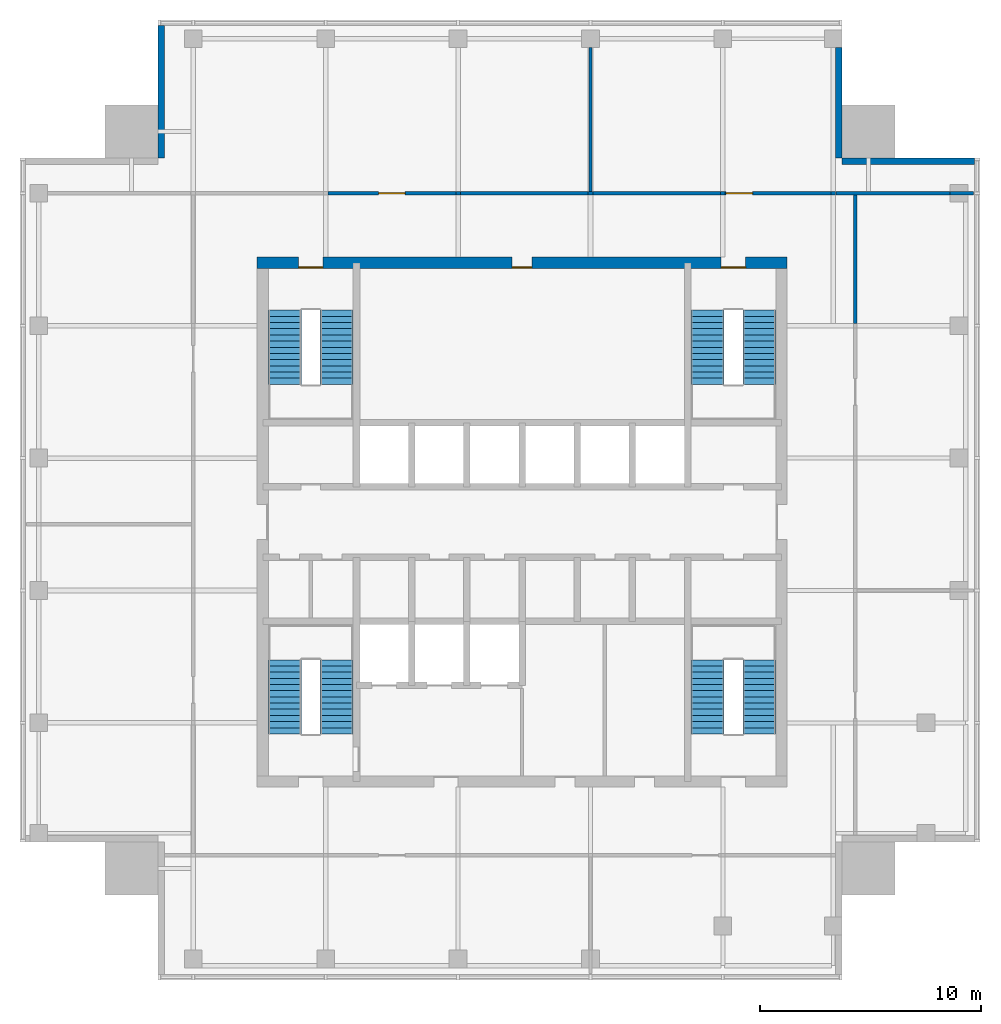
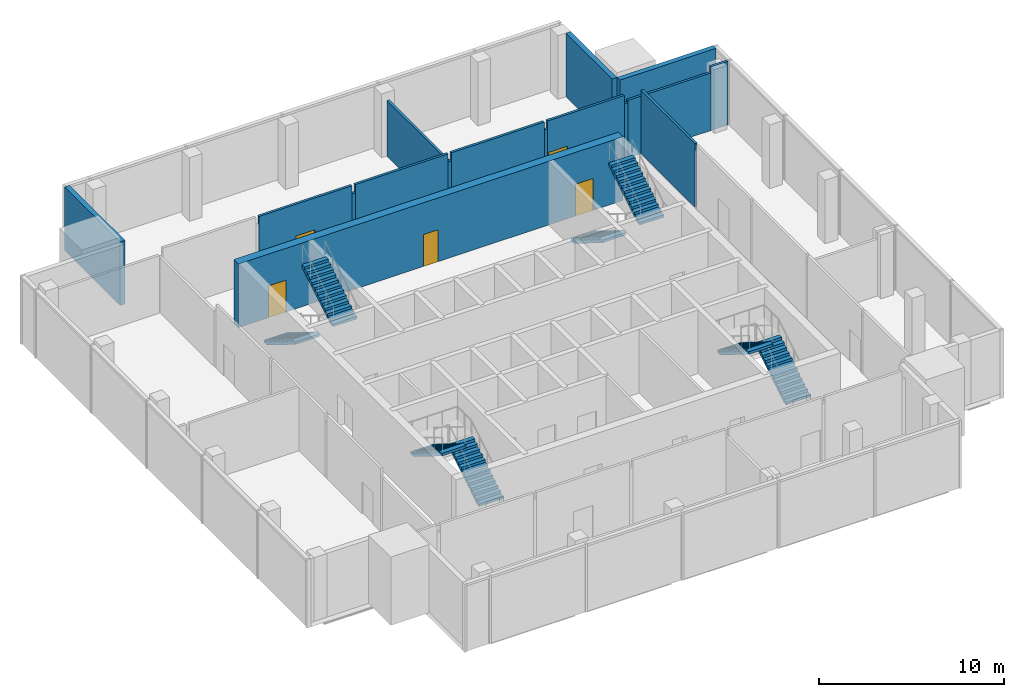
# One storey, part 6 of 7: 16 walls, 8 stair flights, 5 doors, 5 openings, 4 elements without a shape of their own.
"""IFC4 building model written with IfcOpenShell, lengths in metres."""

from ifc_helpers import new_model, si_unit, direction, frame, frame_2d, origin, place, context, subcontext, project, spatial, polyline, rectangle, outline, extrude, material, layer, layer_set, type_object, element, fill, aggregate, save


model = new_model("IFC4")

# Units and contexts
model_context = context("Model", 3, precision=1e-05, world=origin(), true_north=direction((0.0, 1.0)))
body_context = subcontext(model_context, "Body", "Model", "MODEL_VIEW")
ifc_project = project(units=[si_unit("LENGTHUNIT", "METRE"), si_unit("AREAUNIT", "SQUARE_METRE"), si_unit("VOLUMEUNIT", "CUBIC_METRE"), si_unit("PLANEANGLEUNIT", "RADIAN"), si_unit("MASSUNIT", "GRAM", prefix="KILO")], contexts=[model_context])

# Site, building, storey
site_placement = place(None, origin())
site = spatial("IfcSite", under=ifc_project, at=site_placement, CompositionType="ELEMENT")
building_placement = place(site_placement, origin())
building = spatial("IfcBuilding", under=site, at=building_placement, Name="Amberfall Residences", CompositionType="ELEMENT")
storey_placement = place(building_placement, frame((0.0, 0.0, 281.800048828125)))
storey = spatial("IfcBuildingStorey", under=building, at=storey_placement, Name="L76 Crown", CompositionType="ELEMENT", Elevation=281.800048828125)

# Wall, openings, doors
ifc_material_1 = material(Name="Concrete C50", Category="concrete")
ifc_layer_1 = layer(ifc_material_1, 0.5)
ifc_layer_set_1 = layer_set([ifc_layer_1], Name="Core wall 500 C50")
wall_type_1 = type_object("IfcWallType", Name="Core wall 500 C50", PredefinedType="SHEAR", material=ifc_layer_set_1)
wall_1_placement = place(storey_placement, frame((62.5, 57.25, 0.0), z_axis=(0.0, 0.0, 1.0), x_axis=(1.0, 0.0, 0.0)))
wall_1 = element("IfcWall", 1, at=wall_1_placement, inside=storey, type_object=wall_type_1, Name="Core wall RW9 L76 Crown ON", PredefinedType="SHEAR", context=body_context, shape_type="SweptSolid", body=[
    extrude(rectangle(XDim=24.0, YDim=0.5, at=frame_2d((12.0, 0.0))), origin(), (0.0, 0.0, 1.0), 4.199951171875),
])
opening_1_placement = place(wall_1_placement, frame((21.02490234375, 0.0, 0.0)))
opening_1 = element("IfcOpeningElement", 2, at=opening_1_placement, cuts=wall_1, Name="Opening SD1", PredefinedType="OPENING", context=body_context, shape_type="SweptSolid", body=[
    extrude(rectangle(XDim=1.10009765625, YDim=2.10009765625, at=frame_2d((0.550048828125, 1.050048828125))), frame((0.0, 0.260009765625, 0.0), z_axis=(0.0, -1.0, 0.0), x_axis=(1.0, 0.0, 0.0)), (0.0, 0.0, 1.0), 0.52001953125),
])
opening_2_placement = place(wall_1_placement, frame((1.875, 0.0, 0.0)))
opening_2 = element("IfcOpeningElement", 3, at=opening_2_placement, cuts=wall_1, Name="Opening SD1", PredefinedType="OPENING", context=body_context, shape_type="SweptSolid", body=[
    extrude(rectangle(XDim=1.10009765625, YDim=2.10009765625, at=frame_2d((0.550048828125, 1.050048828125))), frame((0.0, 0.260009765625, 0.0), z_axis=(0.0, -1.0, 0.0), x_axis=(1.0, 0.0, 0.0)), (0.0, 0.0, 1.0), 0.52001953125),
])
opening_3_placement = place(wall_1_placement, frame((11.550048828125, 0.0, 0.0)))
opening_3 = element("IfcOpeningElement", 4, at=opening_3_placement, cuts=wall_1, Name="Opening RD1", PredefinedType="OPENING", context=body_context, shape_type="SweptSolid", body=[
    extrude(rectangle(XDim=0.89990234375, YDim=2.10009765625, at=frame_2d((0.449951171875, 1.050048828125))), frame((0.0, 0.260009765625, 0.0), z_axis=(0.0, -1.0, 0.0), x_axis=(1.0, 0.0, 0.0)), (0.0, 0.0, 1.0), 0.52001953125),
])
ifc_material_2 = material(Name="Steel fire door set", Category="steel")
door_type_1 = type_object("IfcDoorType", Name="Service room door 900 x 2100", OperationType="SINGLE_SWING_LEFT", PredefinedType="DOOR", material=ifc_material_2)
door_1_placement = place(opening_3_placement, origin())
door_1 = element("IfcDoor", 5, at=door_1_placement, inside=storey, type_object=door_type_1, Name="RD1 L76 Crown", OperationType="SINGLE_SWING_RIGHT", OverallHeight=2.10009765625, OverallWidth=0.89990234375, PredefinedType="DOOR", context=body_context, shape_type="SweptSolid", body=[
    extrude(rectangle(XDim=0.89990234375, YDim=2.10009765625, at=frame_2d((0.449951171875, 1.050048828125))), frame((0.0, -0.1875, 0.0), z_axis=(0.0, -1.0, 0.0), x_axis=(1.0, 0.0, 0.0)), (0.0, 0.0, 1.0), 0.050048828125),
])
fill(opening_3, door_1)
door_type_2 = type_object("IfcDoorType", Name="Stair door 1100 x 2100", OperationType="SINGLE_SWING_LEFT", PredefinedType="DOOR", material=ifc_material_2)
door_2_placement = place(opening_1_placement, origin())
door_2 = element("IfcDoor", 6, at=door_2_placement, inside=storey, type_object=door_type_2, Name="SD1 L76 Crown", OperationType="SINGLE_SWING_RIGHT", OverallHeight=2.10009765625, OverallWidth=1.10009765625, PredefinedType="DOOR", context=body_context, shape_type="SweptSolid", body=[
    extrude(rectangle(XDim=1.10009765625, YDim=2.10009765625, at=frame_2d((0.550048828125, 1.050048828125))), frame((0.0, -0.1875, 0.0), z_axis=(0.0, -1.0, 0.0), x_axis=(1.0, 0.0, 0.0)), (0.0, 0.0, 1.0), 0.050048828125),
])
fill(opening_1, door_2)
door_3_placement = place(opening_2_placement, origin())
door_3 = element("IfcDoor", 7, at=door_3_placement, inside=storey, type_object=door_type_2, Name="SD1 L76 Crown", OperationType="SINGLE_SWING_LEFT", OverallHeight=2.10009765625, OverallWidth=1.10009765625, PredefinedType="DOOR", context=body_context, shape_type="SweptSolid", body=[
    extrude(rectangle(XDim=1.10009765625, YDim=2.10009765625, at=frame_2d((0.550048828125, 1.050048828125))), frame((0.0, -0.1875, 0.0), z_axis=(0.0, -1.0, 0.0), x_axis=(1.0, 0.0, 0.0)), (0.0, 0.0, 1.0), 0.050048828125),
])
fill(opening_2, door_3)

# Walls
ifc_material_3 = material(Name="Bronze aluminium louvre cladding on insulated backing", Category="aluminium")
ifc_layer_2 = layer(ifc_material_3, 0.300048828125)
ifc_layer_set_2 = layer_set([ifc_layer_2], Name="Louvre clad wall 300")
wall_type_2 = type_object("IfcWallType", Name="Louvre clad wall 300", PredefinedType="SOLIDWALL", material=ifc_layer_set_2)
wall_2_placement = place(storey_placement, frame((95.0, 61.85009765625, 0.0), z_axis=(0.0, 0.0, 1.0), x_axis=(-1.0, 0.0, 0.0)))
element("IfcWall", 8, at=wall_2_placement, inside=storey, type_object=wall_type_2, Name="External wall L76 Crown NE", PredefinedType="SOLIDWALL", context=body_context, shape_type="SweptSolid", body=[
    extrude(rectangle(XDim=6.0, YDim=0.300048828125, at=frame_2d((3.0, 0.0))), origin(), (0.0, 0.0, 1.0), 4.199951171875),
])
wall_3_placement = place(storey_placement, frame((88.85009765625, 62.0, 0.0), z_axis=(0.0, 0.0, 1.0), x_axis=(0.0, 1.0, 0.0)))
element("IfcWall", 9, at=wall_3_placement, inside=storey, type_object=wall_type_2, Name="External wall L76 Crown NE", PredefinedType="SOLIDWALL", context=body_context, shape_type="SweptSolid", body=[
    extrude(rectangle(XDim=5.0, YDim=0.300048828125, at=frame_2d((2.5, 0.0))), origin(), (0.0, 0.0, 1.0), 4.199951171875),
])
wall_4_placement = place(storey_placement, frame((58.14990234375, 68.0, 0.0), z_axis=(0.0, 0.0, 1.0), x_axis=(0.0, -1.0, 0.0)))
element("IfcWall", 10, at=wall_4_placement, inside=storey, type_object=wall_type_2, Name="External wall L76 Crown NW", PredefinedType="SOLIDWALL", context=body_context, shape_type="SweptSolid", body=[
    extrude(rectangle(XDim=6.0, YDim=0.300048828125, at=frame_2d((3.0, 0.0))), origin(), (0.0, 0.0, 1.0), 4.199951171875),
])

# Wall, opening, door
ifc_material_4 = material(Name="Fire-rated gypsum board on steel studs", Category="steel")
ifc_layer_3 = layer(ifc_material_4, 0.14990234375)
ifc_layer_set_3 = layer_set([ifc_layer_3], Name="Partition 150 fire-rated")
wall_type_3 = type_object("IfcWallType", Name="Partition 150 fire-rated", PredefinedType="PARTITIONING", material=ifc_layer_set_3)
wall_5_placement = place(storey_placement, frame((65.70458984375, 60.39990234375, 0.0), z_axis=(0.0, 0.0, 1.0), x_axis=(1.0, 0.0, 0.0)))
wall_5 = element("IfcWall", 11, at=wall_5_placement, inside=storey, type_object=wall_type_3, Name="Partition 150 fire-rated L76 Crown 022", PredefinedType="PARTITIONING", context=body_context, shape_type="SweptSolid", body=[
    extrude(rectangle(XDim=5.790771484375, YDim=0.14990234375, at=frame_2d((2.8955078125, 0.0))), origin(), (0.0, 0.0, 1.0), 4.199951171875),
])
opening_4_placement = place(wall_5_placement, frame((2.29541015625, 0.0, 0.0)))
opening_4 = element("IfcOpeningElement", 12, at=opening_4_placement, cuts=wall_5, Name="Opening D7", PredefinedType="OPENING", context=body_context, shape_type="SweptSolid", body=[
    extrude(rectangle(XDim=1.199951171875, YDim=2.10009765625, at=frame_2d((0.60009765625, 1.050048828125))), frame((0.0, 0.0849609375, 0.0), z_axis=(0.0, -1.0, 0.0), x_axis=(1.0, 0.0, 0.0)), (0.0, 0.0, 1.0), 0.169921875),
])
ifc_material_5 = material(Name="Steel fire door leaf", Category="steel")
door_type_3 = type_object("IfcDoorType", Name="Plant room door 1200x2100", OperationType="SINGLE_SWING_LEFT", PredefinedType="DOOR", material=ifc_material_5)
door_4_placement = place(opening_4_placement, origin())
door_4 = element("IfcDoor", 13, at=door_4_placement, inside=storey, type_object=door_type_3, Name="Door BMU plant room", OperationType="SINGLE_SWING_LEFT", OverallHeight=2.10009765625, OverallWidth=1.199951171875, PredefinedType="DOOR", context=body_context, shape_type="SweptSolid", body=[
    extrude(rectangle(XDim=1.199951171875, YDim=2.10009765625, at=frame_2d((0.60009765625, 1.050048828125))), frame((0.0, 0.02490234375, 0.0), z_axis=(0.0, -1.0, 0.0), x_axis=(1.0, 0.0, 0.0)), (0.0, 0.0, 1.0), 0.050048828125),
])
fill(opening_4, door_4)

# Walls
wall_6_placement = place(storey_placement, frame((71.495361328125, 60.39990234375, 0.0), z_axis=(0.0, 0.0, 1.0), x_axis=(1.0, 0.0, 0.0)))
element("IfcWall", 14, at=wall_6_placement, inside=storey, type_object=wall_type_3, Name="Partition 150 fire-rated L76 Crown 023", PredefinedType="PARTITIONING", context=body_context, shape_type="SweptSolid", body=[
    extrude(rectangle(XDim=0.209228515625, YDim=0.14990234375, at=frame_2d((0.1044921875, 0.0))), origin(), (0.0, 0.0, 1.0), 3.6669921875),
])
wall_7_placement = place(storey_placement, frame((71.70458984375, 60.39990234375, 0.0), z_axis=(0.0, 0.0, 1.0), x_axis=(1.0, 0.0, 0.0)))
element("IfcWall", 15, at=wall_7_placement, inside=storey, type_object=wall_type_3, Name="Partition 150 fire-rated L76 Crown 024", PredefinedType="PARTITIONING", context=body_context, shape_type="SweptSolid", body=[
    extrude(rectangle(XDim=5.790771484375, YDim=0.14990234375, at=frame_2d((2.8955078125, 0.0))), origin(), (0.0, 0.0, 1.0), 4.199951171875),
])
wall_8_placement = place(storey_placement, frame((77.495361328125, 60.39990234375, 0.0), z_axis=(0.0, 0.0, 1.0), x_axis=(1.0, 0.0, 0.0)))
element("IfcWall", 16, at=wall_8_placement, inside=storey, type_object=wall_type_3, Name="Partition 150 fire-rated L76 Crown 025", PredefinedType="PARTITIONING", context=body_context, shape_type="SweptSolid", body=[
    extrude(rectangle(XDim=0.209228515625, YDim=0.14990234375, at=frame_2d((0.1044921875, 0.0))), origin(), (0.0, 0.0, 1.0), 3.6669921875),
])
wall_9_placement = place(storey_placement, frame((77.70458984375, 60.39990234375, 0.0), z_axis=(0.0, 0.0, 1.0), x_axis=(1.0, 0.0, 0.0)))
element("IfcWall", 17, at=wall_9_placement, inside=storey, type_object=wall_type_3, Name="Partition 150 fire-rated L76 Crown 026", PredefinedType="PARTITIONING", context=body_context, shape_type="SweptSolid", body=[
    extrude(rectangle(XDim=5.790771484375, YDim=0.14990234375, at=frame_2d((2.8955078125, 0.0))), origin(), (0.0, 0.0, 1.0), 4.199951171875),
])
wall_10_placement = place(storey_placement, frame((83.495361328125, 60.39990234375, 0.0), z_axis=(0.0, 0.0, 1.0), x_axis=(1.0, 0.0, 0.0)))
element("IfcWall", 18, at=wall_10_placement, inside=storey, type_object=wall_type_3, Name="Partition 150 fire-rated L76 Crown 027", PredefinedType="PARTITIONING", context=body_context, shape_type="SweptSolid", body=[
    extrude(rectangle(XDim=0.209228515625, YDim=0.14990234375, at=frame_2d((0.1044921875, 0.0))), origin(), (0.0, 0.0, 1.0), 3.6669921875),
])

# Wall, opening, door
wall_11_placement = place(storey_placement, frame((83.70458984375, 60.39990234375, 0.0), z_axis=(0.0, 0.0, 1.0), x_axis=(1.0, 0.0, 0.0)))
wall_11 = element("IfcWall", 19, at=wall_11_placement, inside=storey, type_object=wall_type_3, Name="Partition 150 fire-rated L76 Crown 028", PredefinedType="PARTITIONING", context=body_context, shape_type="SweptSolid", body=[
    extrude(rectangle(XDim=4.7900390625, YDim=0.14990234375, at=frame_2d((2.39501953125, 0.0))), origin(), (0.0, 0.0, 1.0), 4.199951171875),
])
opening_5_placement = place(wall_11_placement, frame((0.04541015625, 0.0, 0.0)))
opening_5 = element("IfcOpeningElement", 20, at=opening_5_placement, cuts=wall_11, Name="Opening D7", PredefinedType="OPENING", context=body_context, shape_type="SweptSolid", body=[
    extrude(rectangle(XDim=1.199951171875, YDim=2.10009765625, at=frame_2d((0.60009765625, 1.050048828125))), frame((0.0, 0.0849609375, 0.0), z_axis=(0.0, -1.0, 0.0), x_axis=(1.0, 0.0, 0.0)), (0.0, 0.0, 1.0), 0.169921875),
])
door_5_placement = place(opening_5_placement, origin())
door_5 = element("IfcDoor", 21, at=door_5_placement, inside=storey, type_object=door_type_3, Name="Door Generator plant room", OperationType="SINGLE_SWING_LEFT", OverallHeight=2.10009765625, OverallWidth=1.199951171875, PredefinedType="DOOR", context=body_context, shape_type="SweptSolid", body=[
    extrude(rectangle(XDim=1.199951171875, YDim=2.10009765625, at=frame_2d((0.60009765625, 1.050048828125))), frame((0.0, 0.02490234375, 0.0), z_axis=(0.0, -1.0, 0.0), x_axis=(1.0, 0.0, 0.0)), (0.0, 0.0, 1.0), 0.050048828125),
])
fill(opening_5, door_5)

# Walls
wall_12_placement = place(storey_placement, frame((88.49462890625, 60.39990234375, 0.0), z_axis=(0.0, 0.0, 1.0), x_axis=(1.0, 0.0, 0.0)))
element("IfcWall", 22, at=wall_12_placement, inside=storey, type_object=wall_type_3, Name="Partition 150 fire-rated L76 Crown 029", PredefinedType="PARTITIONING", context=body_context, shape_type="SweptSolid", body=[
    extrude(rectangle(XDim=0.210693359375, YDim=0.14990234375, at=frame_2d((0.10546875, 0.0))), origin(), (0.0, 0.0, 1.0), 3.660888671875),
])
wall_13_placement = place(storey_placement, frame((88.719970703125, 60.39990234375, 0.0), z_axis=(0.0, 0.0, 1.0), x_axis=(1.0, 0.0, 0.0)))
element("IfcWall", 23, at=wall_13_placement, inside=storey, type_object=wall_type_3, Name="Partition 150 fire-rated L76 Crown 030", PredefinedType="PARTITIONING", context=body_context, shape_type="SweptSolid", body=[
    extrude(rectangle(XDim=5.179931640625, YDim=0.14990234375, at=frame_2d((2.58984375, 0.0))), origin(), (0.0, 0.0, 1.0), 3.796875),
])
wall_14_placement = place(storey_placement, frame((93.89990234375, 60.39990234375, 0.0), z_axis=(0.0, 0.0, 1.0), x_axis=(1.0, 0.0, 0.0)))
element("IfcWall", 24, at=wall_14_placement, inside=storey, type_object=wall_type_3, Name="Partition 150 fire-rated L76 Crown 031", PredefinedType="PARTITIONING", context=body_context, shape_type="SweptSolid", body=[
    extrude(rectangle(XDim=1.050048828125, YDim=0.14990234375, at=frame_2d((0.52490234375, 0.0))), origin(), (0.0, 0.0, 1.0), 4.199951171875),
])
wall_15_placement = place(storey_placement, frame((77.60009765625, 60.47509765625, 0.0), z_axis=(0.0, 0.0, 1.0), x_axis=(0.0, 1.0, 0.0)))
element("IfcWall", 25, at=wall_15_placement, inside=storey, type_object=wall_type_3, Name="Partition 150 fire-rated L76 Crown 043", PredefinedType="PARTITIONING", context=body_context, shape_type="SweptSolid", body=[
    extrude(rectangle(XDim=6.52490234375, YDim=0.14990234375, at=frame_2d((3.262451171875, 0.0))), origin(), (0.0, 0.0, 1.0), 3.6669921875),
])
wall_16_placement = place(storey_placement, frame((89.60009765625, 54.49560546875, 0.0), z_axis=(0.0, 0.0, 1.0), x_axis=(0.0, 1.0, 0.0)))
element("IfcWall", 26, at=wall_16_placement, inside=storey, type_object=wall_type_3, Name="Partition 150 fire-rated L76 Crown 053", PredefinedType="PARTITIONING", context=body_context, shape_type="SweptSolid", body=[
    extrude(rectangle(XDim=5.829345703125, YDim=0.14990234375, at=frame_2d((2.91455078125, 0.0))), origin(), (0.0, 0.0, 1.0), 4.199951171875),
])

# Stair, stair flights
ifc_material_6 = material(Name="Concrete C40", Category="concrete")
stair_type = type_object("IfcStairType", Name="Exit stair 26 risers 173.1 mm", PredefinedType="HALF_TURN_STAIR", material=ifc_material_6)
stair_1_placement = place(storey_placement, origin())
stair_1 = element("IfcStair", 27, at=stair_1_placement, inside=storey, type_object=stair_type, Name="L76 Crown Exit stair 1", PredefinedType="HALF_TURN_STAIR")
stair_flight_type = type_object("IfcStairFlightType", Name="Stair flight 13 risers 173.1 mm", PredefinedType="STRAIGHT", material=ifc_material_6)
stair_flight_1_placement = place(storey_placement, frame((66.10009765625, 35.89990234375, 0.0), z_axis=(0.0, 0.0, 1.0), x_axis=(0.0, 1.0, 0.0)))
stair_flight_1 = element("IfcStairFlight", 28, at=stair_flight_1_placement, type_object=stair_flight_type, Name="ST2 flight 1", NumberOfRisers=13, NumberOfTreads=12, PredefinedType="STRAIGHT", RiserHeight=0.173076923, TreadLength=0.28, context=body_context, shape_type="SweptSolid", body=[
    extrude(outline(polyline([(0.0, 0.0), (0.0, 0.173095703125), (0.280029296875, 0.173095703125), (0.280029296875, 0.34619140625), (0.56005859375, 0.34619140625), (0.56005859375, 0.519287109375), (0.840087890625, 0.519287109375), (0.840087890625, 0.6923828125), (1.1201171875, 0.6923828125), (1.1201171875, 0.865478515625), (1.39990234375, 0.865478515625), (1.39990234375, 1.03857421875), (1.679931640625, 1.03857421875), (1.679931640625, 1.21142578125), (1.9599609375, 1.21142578125), (1.9599609375, 1.384521484375), (2.239990234375, 1.384521484375), (2.239990234375, 1.5576171875), (2.52001953125, 1.5576171875), (2.52001953125, 1.730712890625), (2.800048828125, 1.730712890625), (2.800048828125, 1.90380859375), (3.080078125, 1.90380859375), (3.080078125, 2.076904296875), (3.360107421875, 2.076904296875), (3.360107421875, 2.25), (3.360107421875, 1.900634765625), (0.28515625, 0.0), (0.0, 0.0)])), frame((0.0, 0.75, 0.0), z_axis=(0.0, -1.0, 0.0), x_axis=(1.0, 0.0, 0.0)), (0.0, 0.0, 1.0), 1.5),
])
stair_flight_2_placement = place(storey_placement, frame((63.75, 39.260009765625, 2.25), z_axis=(0.0, 0.0, 1.0), x_axis=(0.0, -1.0, 0.0)))
stair_flight_2 = element("IfcStairFlight", 29, at=stair_flight_2_placement, type_object=stair_flight_type, Name="ST2 flight 2", NumberOfRisers=13, NumberOfTreads=12, PredefinedType="STRAIGHT", RiserHeight=0.173076923, TreadLength=0.28, context=body_context, shape_type="SweptSolid", body=[
    extrude(outline(polyline([(0.0, 0.0), (0.0, 0.173095703125), (0.280029296875, 0.173095703125), (0.280029296875, 0.34619140625), (0.56005859375, 0.34619140625), (0.56005859375, 0.519287109375), (0.840087890625, 0.519287109375), (0.840087890625, 0.6923828125), (1.1201171875, 0.6923828125), (1.1201171875, 0.865478515625), (1.39990234375, 0.865478515625), (1.39990234375, 1.03857421875), (1.679931640625, 1.03857421875), (1.679931640625, 1.21142578125), (1.9599609375, 1.21142578125), (1.9599609375, 1.384521484375), (2.239990234375, 1.384521484375), (2.239990234375, 1.5576171875), (2.52001953125, 1.5576171875), (2.52001953125, 1.730712890625), (2.800048828125, 1.730712890625), (2.800048828125, 1.90380859375), (3.080078125, 1.90380859375), (3.080078125, 2.076904296875), (3.360107421875, 2.076904296875), (3.360107421875, 2.25), (3.360107421875, 1.900634765625), (0.28515625, 0.0), (0.0, 0.0)])), frame((0.0, 0.75, 0.0), z_axis=(0.0, -1.0, 0.0), x_axis=(1.0, 0.0, 0.0)), (0.0, 0.0, 1.0), 1.5),
])
aggregate(stair_1, [stair_flight_1, stair_flight_2])

stair_2_placement = place(storey_placement, origin())
stair_2 = element("IfcStair", 30, at=stair_2_placement, inside=storey, type_object=stair_type, Name="L76 Crown Exit stair 2", PredefinedType="HALF_TURN_STAIR")
stair_flight_3_placement = place(storey_placement, frame((85.25, 35.89990234375, 0.0), z_axis=(0.0, 0.0, 1.0), x_axis=(0.0, 1.0, 0.0)))
stair_flight_3 = element("IfcStairFlight", 31, at=stair_flight_3_placement, type_object=stair_flight_type, Name="ST2 flight 1", NumberOfRisers=13, NumberOfTreads=12, PredefinedType="STRAIGHT", RiserHeight=0.173076923, TreadLength=0.28, context=body_context, shape_type="SweptSolid", body=[
    extrude(outline(polyline([(0.0, 0.0), (0.0, 0.173095703125), (0.280029296875, 0.173095703125), (0.280029296875, 0.34619140625), (0.56005859375, 0.34619140625), (0.56005859375, 0.519287109375), (0.840087890625, 0.519287109375), (0.840087890625, 0.6923828125), (1.1201171875, 0.6923828125), (1.1201171875, 0.865478515625), (1.39990234375, 0.865478515625), (1.39990234375, 1.03857421875), (1.679931640625, 1.03857421875), (1.679931640625, 1.21142578125), (1.9599609375, 1.21142578125), (1.9599609375, 1.384521484375), (2.239990234375, 1.384521484375), (2.239990234375, 1.5576171875), (2.52001953125, 1.5576171875), (2.52001953125, 1.730712890625), (2.800048828125, 1.730712890625), (2.800048828125, 1.90380859375), (3.080078125, 1.90380859375), (3.080078125, 2.076904296875), (3.360107421875, 2.076904296875), (3.360107421875, 2.25), (3.360107421875, 1.900634765625), (0.28515625, 0.0), (0.0, 0.0)])), frame((0.0, 0.75, 0.0), z_axis=(0.0, -1.0, 0.0), x_axis=(1.0, 0.0, 0.0)), (0.0, 0.0, 1.0), 1.5),
])
stair_flight_4_placement = place(storey_placement, frame((82.89990234375, 39.260009765625, 2.25), z_axis=(0.0, 0.0, 1.0), x_axis=(0.0, -1.0, 0.0)))
stair_flight_4 = element("IfcStairFlight", 32, at=stair_flight_4_placement, type_object=stair_flight_type, Name="ST2 flight 2", NumberOfRisers=13, NumberOfTreads=12, PredefinedType="STRAIGHT", RiserHeight=0.173076923, TreadLength=0.28, context=body_context, shape_type="SweptSolid", body=[
    extrude(outline(polyline([(0.0, 0.0), (0.0, 0.173095703125), (0.280029296875, 0.173095703125), (0.280029296875, 0.34619140625), (0.56005859375, 0.34619140625), (0.56005859375, 0.519287109375), (0.840087890625, 0.519287109375), (0.840087890625, 0.6923828125), (1.1201171875, 0.6923828125), (1.1201171875, 0.865478515625), (1.39990234375, 0.865478515625), (1.39990234375, 1.03857421875), (1.679931640625, 1.03857421875), (1.679931640625, 1.21142578125), (1.9599609375, 1.21142578125), (1.9599609375, 1.384521484375), (2.239990234375, 1.384521484375), (2.239990234375, 1.5576171875), (2.52001953125, 1.5576171875), (2.52001953125, 1.730712890625), (2.800048828125, 1.730712890625), (2.800048828125, 1.90380859375), (3.080078125, 1.90380859375), (3.080078125, 2.076904296875), (3.360107421875, 2.076904296875), (3.360107421875, 2.25), (3.360107421875, 1.900634765625), (0.28515625, 0.0), (0.0, 0.0)])), frame((0.0, 0.75, 0.0), z_axis=(0.0, -1.0, 0.0), x_axis=(1.0, 0.0, 0.0)), (0.0, 0.0, 1.0), 1.5),
])
aggregate(stair_2, [stair_flight_3, stair_flight_4])

stair_3_placement = place(storey_placement, origin())
stair_3 = element("IfcStair", 33, at=stair_3_placement, inside=storey, type_object=stair_type, Name="L76 Crown Exit stair 3", PredefinedType="HALF_TURN_STAIR")
stair_flight_5_placement = place(storey_placement, frame((82.89990234375, 55.10009765625, 0.0), z_axis=(0.0, 0.0, 1.0), x_axis=(0.0, -1.0, 0.0)))
stair_flight_5 = element("IfcStairFlight", 34, at=stair_flight_5_placement, type_object=stair_flight_type, Name="ST2 flight 1", NumberOfRisers=13, NumberOfTreads=12, PredefinedType="STRAIGHT", RiserHeight=0.173076923, TreadLength=0.28, context=body_context, shape_type="SweptSolid", body=[
    extrude(outline(polyline([(0.0, 0.0), (0.0, 0.173095703125), (0.280029296875, 0.173095703125), (0.280029296875, 0.34619140625), (0.56005859375, 0.34619140625), (0.56005859375, 0.519287109375), (0.840087890625, 0.519287109375), (0.840087890625, 0.6923828125), (1.1201171875, 0.6923828125), (1.1201171875, 0.865478515625), (1.39990234375, 0.865478515625), (1.39990234375, 1.03857421875), (1.679931640625, 1.03857421875), (1.679931640625, 1.21142578125), (1.9599609375, 1.21142578125), (1.9599609375, 1.384521484375), (2.239990234375, 1.384521484375), (2.239990234375, 1.5576171875), (2.52001953125, 1.5576171875), (2.52001953125, 1.730712890625), (2.800048828125, 1.730712890625), (2.800048828125, 1.90380859375), (3.080078125, 1.90380859375), (3.080078125, 2.076904296875), (3.360107421875, 2.076904296875), (3.360107421875, 2.25), (3.360107421875, 1.900634765625), (0.28515625, 0.0), (0.0, 0.0)])), frame((0.0, 0.75, 0.0), z_axis=(0.0, -1.0, 0.0), x_axis=(1.0, 0.0, 0.0)), (0.0, 0.0, 1.0), 1.5),
])
stair_flight_6_placement = place(storey_placement, frame((85.25, 51.739990234375, 2.25), z_axis=(0.0, 0.0, 1.0), x_axis=(0.0, 1.0, 0.0)))
stair_flight_6 = element("IfcStairFlight", 35, at=stair_flight_6_placement, type_object=stair_flight_type, Name="ST2 flight 2", NumberOfRisers=13, NumberOfTreads=12, PredefinedType="STRAIGHT", RiserHeight=0.173076923, TreadLength=0.28, context=body_context, shape_type="SweptSolid", body=[
    extrude(outline(polyline([(0.0, 0.0), (0.0, 0.173095703125), (0.280029296875, 0.173095703125), (0.280029296875, 0.34619140625), (0.56005859375, 0.34619140625), (0.56005859375, 0.519287109375), (0.840087890625, 0.519287109375), (0.840087890625, 0.6923828125), (1.1201171875, 0.6923828125), (1.1201171875, 0.865478515625), (1.39990234375, 0.865478515625), (1.39990234375, 1.03857421875), (1.679931640625, 1.03857421875), (1.679931640625, 1.21142578125), (1.9599609375, 1.21142578125), (1.9599609375, 1.384521484375), (2.239990234375, 1.384521484375), (2.239990234375, 1.5576171875), (2.52001953125, 1.5576171875), (2.52001953125, 1.730712890625), (2.800048828125, 1.730712890625), (2.800048828125, 1.90380859375), (3.080078125, 1.90380859375), (3.080078125, 2.076904296875), (3.360107421875, 2.076904296875), (3.360107421875, 2.25), (3.360107421875, 1.900634765625), (0.28515625, 0.0), (0.0, 0.0)])), frame((0.0, 0.75, 0.0), z_axis=(0.0, -1.0, 0.0), x_axis=(1.0, 0.0, 0.0)), (0.0, 0.0, 1.0), 1.5),
])
aggregate(stair_3, [stair_flight_5, stair_flight_6])

stair_4_placement = place(storey_placement, origin())
stair_4 = element("IfcStair", 36, at=stair_4_placement, inside=storey, type_object=stair_type, Name="L76 Crown Exit stair 4", PredefinedType="HALF_TURN_STAIR")
stair_flight_7_placement = place(storey_placement, frame((63.75, 55.10009765625, 0.0), z_axis=(0.0, 0.0, 1.0), x_axis=(0.0, -1.0, 0.0)))
stair_flight_7 = element("IfcStairFlight", 37, at=stair_flight_7_placement, type_object=stair_flight_type, Name="ST2 flight 1", NumberOfRisers=13, NumberOfTreads=12, PredefinedType="STRAIGHT", RiserHeight=0.173076923, TreadLength=0.28, context=body_context, shape_type="SweptSolid", body=[
    extrude(outline(polyline([(0.0, 0.0), (0.0, 0.173095703125), (0.280029296875, 0.173095703125), (0.280029296875, 0.34619140625), (0.56005859375, 0.34619140625), (0.56005859375, 0.519287109375), (0.840087890625, 0.519287109375), (0.840087890625, 0.6923828125), (1.1201171875, 0.6923828125), (1.1201171875, 0.865478515625), (1.39990234375, 0.865478515625), (1.39990234375, 1.03857421875), (1.679931640625, 1.03857421875), (1.679931640625, 1.21142578125), (1.9599609375, 1.21142578125), (1.9599609375, 1.384521484375), (2.239990234375, 1.384521484375), (2.239990234375, 1.5576171875), (2.52001953125, 1.5576171875), (2.52001953125, 1.730712890625), (2.800048828125, 1.730712890625), (2.800048828125, 1.90380859375), (3.080078125, 1.90380859375), (3.080078125, 2.076904296875), (3.360107421875, 2.076904296875), (3.360107421875, 2.25), (3.360107421875, 1.900634765625), (0.28515625, 0.0), (0.0, 0.0)])), frame((0.0, 0.75, 0.0), z_axis=(0.0, -1.0, 0.0), x_axis=(1.0, 0.0, 0.0)), (0.0, 0.0, 1.0), 1.5),
])
stair_flight_8_placement = place(storey_placement, frame((66.10009765625, 51.739990234375, 2.25), z_axis=(0.0, 0.0, 1.0), x_axis=(0.0, 1.0, 0.0)))
stair_flight_8 = element("IfcStairFlight", 38, at=stair_flight_8_placement, type_object=stair_flight_type, Name="ST2 flight 2", NumberOfRisers=13, NumberOfTreads=12, PredefinedType="STRAIGHT", RiserHeight=0.173076923, TreadLength=0.28, context=body_context, shape_type="SweptSolid", body=[
    extrude(outline(polyline([(0.0, 0.0), (0.0, 0.173095703125), (0.280029296875, 0.173095703125), (0.280029296875, 0.34619140625), (0.56005859375, 0.34619140625), (0.56005859375, 0.519287109375), (0.840087890625, 0.519287109375), (0.840087890625, 0.6923828125), (1.1201171875, 0.6923828125), (1.1201171875, 0.865478515625), (1.39990234375, 0.865478515625), (1.39990234375, 1.03857421875), (1.679931640625, 1.03857421875), (1.679931640625, 1.21142578125), (1.9599609375, 1.21142578125), (1.9599609375, 1.384521484375), (2.239990234375, 1.384521484375), (2.239990234375, 1.5576171875), (2.52001953125, 1.5576171875), (2.52001953125, 1.730712890625), (2.800048828125, 1.730712890625), (2.800048828125, 1.90380859375), (3.080078125, 1.90380859375), (3.080078125, 2.076904296875), (3.360107421875, 2.076904296875), (3.360107421875, 2.25), (3.360107421875, 1.900634765625), (0.28515625, 0.0), (0.0, 0.0)])), frame((0.0, 0.75, 0.0), z_axis=(0.0, -1.0, 0.0), x_axis=(1.0, 0.0, 0.0)), (0.0, 0.0, 1.0), 1.5),
])
aggregate(stair_4, [stair_flight_7, stair_flight_8])

save(model, "model.ifc")
